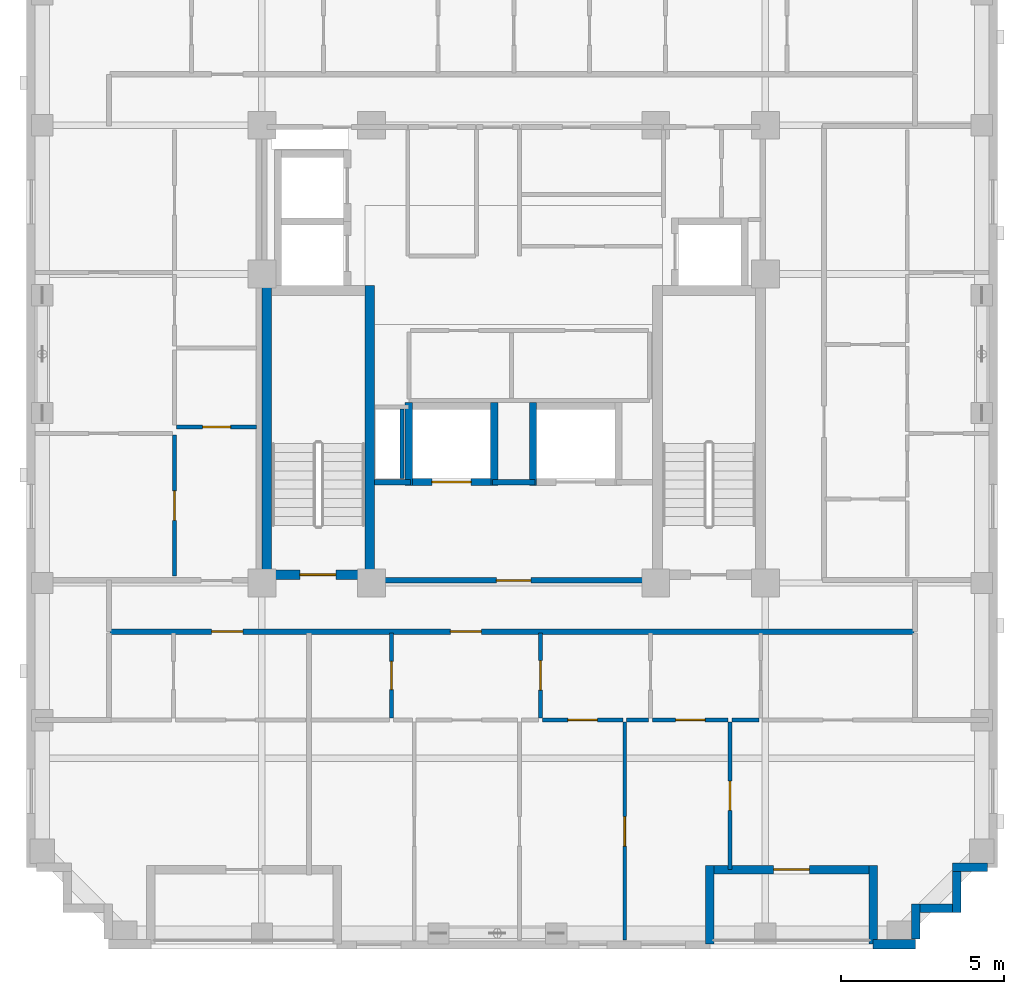
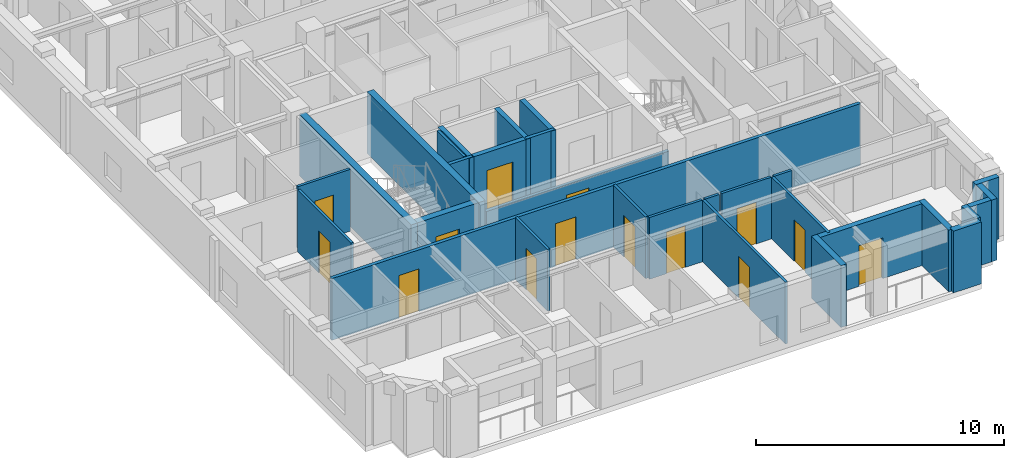
# One storey, part 3 of 11: 30 walls, 14 doors, 14 openings.
"""IFC4 building model written with IfcOpenShell, lengths in metres."""

from ifc_helpers import new_model, si_unit, derived_unit, direction, frame, frame_2d, origin, place, context, subcontext, project, spatial, rectangle, extrude, material, layer, layer_set, type_object, element, fill, save


model = new_model("IFC4")

# Units and contexts
model_context = context("Model", 3, precision=1e-05, world=origin(), true_north=direction((0.0, 1.0)))
body_context = subcontext(model_context, "Body", "Model", "MODEL_VIEW")
ifc_project = project(units=[si_unit("LENGTHUNIT", "METRE"), si_unit("AREAUNIT", "SQUARE_METRE"), si_unit("VOLUMEUNIT", "CUBIC_METRE"), si_unit("PLANEANGLEUNIT", "RADIAN"), si_unit("MASSUNIT", "GRAM", prefix="KILO"), derived_unit("THERMALTRANSMITTANCEUNIT", [(si_unit("MASSUNIT", "GRAM", prefix="KILO"), 1), (si_unit("TIMEUNIT", "SECOND"), -3), (si_unit("THERMODYNAMICTEMPERATUREUNIT", "KELVIN"), -1)])], contexts=[model_context])

# Site, building, storey
site_placement = place(None, origin())
site = spatial("IfcSite", under=ifc_project, at=site_placement, CompositionType="ELEMENT")
building_placement = place(site_placement, origin())
building = spatial("IfcBuilding", under=site, at=building_placement, Name="Korrvale Station Residences", CompositionType="ELEMENT")
storey_placement = place(building_placement, frame((0.0, 0.0, 194.199951171875)))
storey = spatial("IfcBuildingStorey", under=building, at=storey_placement, Name="L56", CompositionType="ELEMENT", Elevation=194.199951171875)

# Walls
ifc_material_1 = material(Name="Concrete C50/60", Category="concrete")
ifc_layer_1 = layer(ifc_material_1, 0.300048828125, Name="Concrete C50/60")
ifc_layer_set_1 = layer_set([ifc_layer_1], Name="Concrete C50/60")
wall_type_1 = type_object("IfcWallType", Name="WAL-CORE-300-C50", PredefinedType="SHEAR", material=ifc_layer_set_1)
for number, where, z_axis, x_axis, name in (
    (1, (17.949951171875, 15.10009765625, 0.0), (0.0, 0.0, 1.0), (0.0, 1.0, 0.0), "L56 ST-1 Core Shear Wall West"),
    (2, (21.10009765625, 15.10009765625, 0.0), (0.0, 0.0, 1.0), (0.0, 1.0, 0.0), "L56 ST-1 Core Shear Wall East"),
):
    element("IfcWall", number, at=place(storey_placement, frame(where, z_axis=z_axis, x_axis=x_axis)), inside=storey, type_object=wall_type_1, Name=name, PredefinedType="SHEAR", context=body_context, shape_type="SweptSolid", body=[
        extrude(rectangle(XDim=9.0, YDim=0.300048828125, at=frame_2d((4.5, 0.0))), origin(), (0.0, 0.0, 1.0), 3.0400390625),
    ])

# Wall, opening, door
wall_1_placement = place(storey_placement, frame((18.10009765625, 15.25, 0.0), z_axis=(0.0, 0.0, 1.0), x_axis=(1.0, 0.0, 0.0)))
wall_1 = element("IfcWall", 3, at=wall_1_placement, inside=storey, type_object=wall_type_1, Name="L56 ST-1 Core Shear Wall South", PredefinedType="SHEAR", context=body_context, shape_type="SweptSolid", body=[
    extrude(rectangle(XDim=2.849853515625, YDim=0.300048828125, at=frame_2d((1.4248046875, 0.0))), origin(), (0.0, 0.0, 1.0), 3.0400390625),
])
opening_1_placement = place(wall_1_placement, frame((0.860107421875, 0.0, 0.0)))
opening_1 = element("IfcOpeningElement", 4, at=opening_1_placement, cuts=wall_1, Name="Opening SD-1100", PredefinedType="OPENING", context=body_context, shape_type="SweptSolid", body=[
    extrude(rectangle(XDim=1.10009765625, YDim=2.050048828125, at=frame_2d((0.550048828125, 1.02490234375))), frame((0.0, 0.16015625, 0.0), z_axis=(0.0, -1.0, 0.0), x_axis=(1.0, 0.0, 0.0)), (0.0, 0.0, 1.0), 0.320068359375),
])
ifc_material_2 = material(Name="Hollow-metal fire-rated stair door with closer", Category="steel")
door_type_1 = type_object("IfcDoorType", Name="DR-STAIR-1100", OperationType="NOTDEFINED", PredefinedType="DOOR", material=ifc_material_2)
door_1_placement = place(opening_1_placement, origin())
door_1 = element("IfcDoor", 5, at=door_1_placement, inside=storey, type_object=door_type_1, Name="L56 ST-1 Exit Stair Door", OperationType="SINGLE_SWING_LEFT", OverallHeight=2.050048828125, OverallWidth=1.10009765625, PredefinedType="DOOR", context=body_context, shape_type="SweptSolid", body=[
    extrude(rectangle(XDim=1.10009765625, YDim=2.050048828125, at=frame_2d((0.550048828125, 1.02490234375))), frame((0.0, 0.02490234375, 0.0), z_axis=(0.0, -1.0, 0.0), x_axis=(1.0, 0.0, 0.0)), (0.0, 0.0, 1.0), 0.050048828125),
])
fill(opening_1, door_1)

# Wall
ifc_material_3 = material(Name="Precast concrete C45/55", Category="concrete")
ifc_layer_2 = layer(ifc_material_3, 0.260009765625, Name="Precast concrete C45/55")
ifc_layer_set_2 = layer_set([ifc_layer_2], Name="Precast concrete C45/55")
wall_type_2 = type_object("IfcWallType", Name="WAL-EXT-LOG260", PredefinedType="SOLIDWALL", material=ifc_layer_set_2)
wall_2_placement = place(storey_placement, frame((36.5, 3.9599609375, 0.0), z_axis=(0.0, 0.0, 1.0), x_axis=(0.0, 1.0, 0.0)))
element("IfcWall", 6, at=wall_2_placement, inside=storey, type_object=wall_type_2, Name="L56 Recessed Loggia Wall BAL-L56-S2-L", PredefinedType="SOLIDWALL", context=body_context, shape_type="SweptSolid", body=[
    extrude(rectangle(XDim=2.400146484375, YDim=0.260009765625, at=frame_2d((1.2001953125, 0.0))), origin(), (0.0, 0.0, 1.0), 3.0400390625),
])

# Wall, opening, door
wall_3_placement = place(storey_placement, frame((36.365966796875, 6.22998046875, 0.0), z_axis=(0.0, 0.0, 1.0), x_axis=(-1.0, 0.0, 0.0)))
wall_3 = element("IfcWall", 7, at=wall_3_placement, inside=storey, type_object=wall_type_2, Name="L56 Recessed Loggia Wall BAL-L56-S2-B", PredefinedType="SOLIDWALL", context=body_context, shape_type="SweptSolid", body=[
    extrude(rectangle(XDim=4.73193359375, YDim=0.260009765625, at=frame_2d((2.365966796875, 0.0))), origin(), (0.0, 0.0, 1.0), 3.0400390625),
])
opening_2_placement = place(wall_3_placement, frame((1.81591796875, 0.0, 0.0)))
opening_2 = element("IfcOpeningElement", 8, at=opening_2_placement, cuts=wall_3, Name="Opening BD-01", PredefinedType="OPENING", context=body_context, shape_type="SweptSolid", body=[
    extrude(rectangle(XDim=1.10009765625, YDim=2.0, at=frame_2d((0.550048828125, 1.0))), frame((0.0, 0.14013671875, 0.0), z_axis=(0.0, -1.0, 0.0), x_axis=(1.0, 0.0, 0.0)), (0.0, 0.0, 1.0), 0.280029296875),
])
ifc_material_4 = material(Name="Exterior thermally broken aluminium glazed balcony door", Category="aluminium")
door_type_2 = type_object("IfcDoorType", Name="DR-EXT-BAL", OperationType="NOTDEFINED", PredefinedType="DOOR", material=ifc_material_4)
door_2_placement = place(opening_2_placement, origin())
door_2 = element("IfcDoor", 9, at=door_2_placement, inside=storey, type_object=door_type_2, Name="L56 Loggia Balcony Door BAL-L56-S2", OperationType="SINGLE_SWING_LEFT", OverallHeight=2.0, OverallWidth=1.10009765625, PredefinedType="DOOR", context=body_context, shape_type="SweptSolid", body=[
    extrude(rectangle(XDim=1.10009765625, YDim=2.0, at=frame_2d((0.550048828125, 1.0))), frame((0.0, 0.02490234375, 0.0), z_axis=(0.0, -1.0, 0.0), x_axis=(1.0, 0.0, 0.0)), (0.0, 0.0, 1.0), 0.050048828125),
])
fill(opening_2, door_2)

# Walls
wall_4_placement = place(storey_placement, frame((31.5, 6.360107421875, 0.0), z_axis=(0.0, 0.0, 1.0), x_axis=(0.0, -1.0, 0.0)))
element("IfcWall", 10, at=wall_4_placement, inside=storey, type_object=wall_type_2, Name="L56 Recessed Loggia Wall BAL-L56-S2-R", PredefinedType="SOLIDWALL", context=body_context, shape_type="SweptSolid", body=[
    extrude(rectangle(XDim=2.400146484375, YDim=0.260009765625, at=frame_2d((1.2001953125, 0.0))), origin(), (0.0, 0.0, 1.0), 3.0400390625),
])
wall_5_placement = place(storey_placement, frame((39.998046875, 6.300048828125, 0.0), z_axis=(0.0, 0.0, 1.0), x_axis=(-1.0, 0.0, 0.0)))
element("IfcWall", 11, at=wall_5_placement, inside=storey, type_object=wall_type_2, Name="L56 Serrated Corner Precast Step SE-1", PredefinedType="SOLIDWALL", context=body_context, shape_type="SweptSolid", body=[
    extrude(rectangle(XDim=1.078125, YDim=0.260009765625, at=frame_2d((0.5390625, 0.0))), origin(), (0.0, 0.0, 1.0), 3.0400390625),
])
wall_6_placement = place(storey_placement, frame((39.050048828125, 6.16796875, 0.0), z_axis=(0.0, 0.0, 1.0), x_axis=(0.0, -1.0, 0.0)))
element("IfcWall", 12, at=wall_6_placement, inside=storey, type_object=wall_type_2, Name="L56 Serrated Corner Precast Step SE-2", PredefinedType="SOLIDWALL", context=body_context, shape_type="SweptSolid", body=[
    extrude(rectangle(XDim=1.248046875, YDim=0.260009765625, at=frame_2d((0.6240234375, 0.0))), origin(), (0.0, 0.0, 1.0), 3.0400390625),
])
wall_7_placement = place(storey_placement, frame((38.91796875, 5.050048828125, 0.0), z_axis=(0.0, 0.0, 1.0), x_axis=(-1.0, 0.0, 0.0)))
element("IfcWall", 13, at=wall_7_placement, inside=storey, type_object=wall_type_2, Name="L56 Serrated Corner Precast Step SE-3", PredefinedType="SOLIDWALL", context=body_context, shape_type="SweptSolid", body=[
    extrude(rectangle(XDim=0.986083984375, YDim=0.260009765625, at=frame_2d((0.4931640625, 0.0))), origin(), (0.0, 0.0, 1.0), 3.0400390625),
])
wall_8_placement = place(storey_placement, frame((37.800048828125, 5.179931640625, 0.0), z_axis=(0.0, 0.0, 1.0), x_axis=(0.0, -1.0, 0.0)))
element("IfcWall", 14, at=wall_8_placement, inside=storey, type_object=wall_type_2, Name="L56 Serrated Corner Precast Step SE-4", PredefinedType="SOLIDWALL", context=body_context, shape_type="SweptSolid", body=[
    extrude(rectangle(XDim=1.077880859375, YDim=0.260009765625, at=frame_2d((0.5390625, 0.0))), origin(), (0.0, 0.0, 1.0), 3.0400390625),
])
ifc_layer_3 = layer(ifc_material_3, 0.300048828125, Name="Precast concrete C45/55")
ifc_layer_set_3 = layer_set([ifc_layer_3], Name="Precast concrete C45/55")
wall_type_3 = type_object("IfcWallType", Name="WAL-EXT-PC300", PredefinedType="SOLIDWALL", material=ifc_layer_set_3)
wall_9_placement = place(storey_placement, frame((37.800048828125, 3.949951171875, 0.0), z_axis=(0.0, 0.0, 1.0), x_axis=(-1.0, 0.0, 0.0)))
element("IfcWall", 15, at=wall_9_placement, inside=storey, type_object=wall_type_3, Name="L56 South Exterior Precast Wall 1", PredefinedType="SOLIDWALL", context=body_context, shape_type="SweptSolid", body=[
    extrude(rectangle(XDim=1.300048828125, YDim=0.300048828125, at=frame_2d((0.64990234375, 0.0))), origin(), (0.0, 0.0, 1.0), 3.0400390625),
])
ifc_material_5 = material(Name="Acoustic steel-stud gypsum board partition", Category="steel")
ifc_layer_4 = layer(ifc_material_5, 0.1201171875, Name="Acoustic steel-stud gypsum board partition")
ifc_layer_set_4 = layer_set([ifc_layer_4], Name="Acoustic steel-stud gypsum board partition")
wall_type_4 = type_object("IfcWallType", Name="WAL-PART-125", PredefinedType="PARTITIONING", material=ifc_layer_set_4)
wall_10_placement = place(storey_placement, frame((22.080078125, 18.199951171875, 0.0), z_axis=(0.0, 0.0, 1.0), x_axis=(0.0, 1.0, 0.0)))
element("IfcWall", 16, at=wall_10_placement, inside=storey, type_object=wall_type_4, Name="L56 Core Partition CW-RSWT", PredefinedType="PARTITIONING", context=body_context, shape_type="SweptSolid", body=[
    extrude(rectangle(XDim=2.1201171875, YDim=0.1201171875, at=frame_2d((1.06005859375, 0.0))), origin(), (0.0, 0.0, 1.0), 3.0400390625),
])

# Wall, opening, door
wall_11_placement = place(storey_placement, frame((21.759033203125, 10.8701171875, 0.0), z_axis=(0.0, 0.0, 1.0), x_axis=(0.0, 1.0, 0.0)))
wall_11 = element("IfcWall", 17, at=wall_11_placement, inside=storey, type_object=wall_type_4, Name="L56 Suite Partition U02-V01", PredefinedType="PARTITIONING", context=body_context, shape_type="SweptSolid", body=[
    extrude(rectangle(XDim=2.599853515625, YDim=0.1201171875, at=frame_2d((1.2998046875, 0.0))), origin(), (0.0, 0.0, 1.0), 3.0400390625),
])
opening_3_placement = place(wall_11_placement, frame((0.8701171875, 0.0, 0.0)))
opening_3 = element("IfcOpeningElement", 18, at=opening_3_placement, cuts=wall_11, Name="Opening DB-860", PredefinedType="OPENING", context=body_context, shape_type="SweptSolid", body=[
    extrude(rectangle(XDim=0.860107421875, YDim=2.050048828125, at=frame_2d((0.43017578125, 1.02490234375))), frame((0.0, 0.070068359375, 0.0), z_axis=(0.0, -1.0, 0.0), x_axis=(1.0, 0.0, 0.0)), (0.0, 0.0, 1.0), 0.14013671875),
])
ifc_material_6 = material(Name="Moisture-resistant solid-core bathroom door", Category="timber")
door_type_3 = type_object("IfcDoorType", Name="DR-BATH-860", OperationType="NOTDEFINED", PredefinedType="DOOR", material=ifc_material_6)
door_3_placement = place(opening_3_placement, origin())
door_3 = element("IfcDoor", 19, at=door_3_placement, inside=storey, type_object=door_type_3, Name="L56 Studio Apartment L56-U02 Bathroom Door", OperationType="SINGLE_SWING_LEFT", OverallHeight=2.050048828125, OverallWidth=0.860107421875, PredefinedType="DOOR", context=body_context, shape_type="SweptSolid", body=[
    extrude(rectangle(XDim=0.860107421875, YDim=2.050048828125, at=frame_2d((0.43017578125, 1.02490234375))), frame((0.0, 0.02490234375, 0.0), z_axis=(0.0, -1.0, 0.0), x_axis=(1.0, 0.0, 0.0)), (0.0, 0.0, 1.0), 0.050048828125),
])
fill(opening_3, door_3)

wall_12_placement = place(storey_placement, frame((26.319091796875, 10.8701171875, 0.0), z_axis=(0.0, 0.0, 1.0), x_axis=(0.0, 1.0, 0.0)))
wall_12 = element("IfcWall", 20, at=wall_12_placement, inside=storey, type_object=wall_type_4, Name="L56 Suite Partition U02-V12", PredefinedType="PARTITIONING", context=body_context, shape_type="SweptSolid", body=[
    extrude(rectangle(XDim=2.599853515625, YDim=0.1201171875, at=frame_2d((1.2998046875, 0.0))), origin(), (0.0, 0.0, 1.0), 3.0400390625),
])
opening_4_placement = place(wall_12_placement, frame((0.85009765625, 0.0, 0.0)))
opening_4 = element("IfcOpeningElement", 21, at=opening_4_placement, cuts=wall_12, Name="Opening DI-900", PredefinedType="OPENING", context=body_context, shape_type="SweptSolid", body=[
    extrude(rectangle(XDim=0.89990234375, YDim=2.050048828125, at=frame_2d((0.449951171875, 1.02490234375))), frame((0.0, 0.070068359375, 0.0), z_axis=(0.0, -1.0, 0.0), x_axis=(1.0, 0.0, 0.0)), (0.0, 0.0, 1.0), 0.14013671875),
])
ifc_material_7 = material(Name="Painted solid-core timber interior room door", Category="wood")
door_type_4 = type_object("IfcDoorType", Name="DR-INT-900", OperationType="NOTDEFINED", PredefinedType="DOOR", material=ifc_material_7)
door_4_placement = place(opening_4_placement, origin())
door_4 = element("IfcDoor", 22, at=door_4_placement, inside=storey, type_object=door_type_4, Name="L56 Studio Apartment L56-U02 Kitchen Door", OperationType="SINGLE_SWING_RIGHT", OverallHeight=2.050048828125, OverallWidth=0.89990234375, PredefinedType="DOOR", context=body_context, shape_type="SweptSolid", body=[
    extrude(rectangle(XDim=0.89990234375, YDim=2.050048828125, at=frame_2d((0.449951171875, 1.02490234375))), frame((0.0, 0.02490234375, 0.0), z_axis=(0.0, -1.0, 0.0), x_axis=(1.0, 0.0, 0.0)), (0.0, 0.0, 1.0), 0.050048828125),
])
fill(opening_4, door_4)

wall_13_placement = place(storey_placement, frame((26.37890625, 10.81005859375, 0.0), z_axis=(0.0, 0.0, 1.0), x_axis=(1.0, 0.0, 0.0)))
wall_13 = element("IfcWall", 23, at=wall_13_placement, inside=storey, type_object=wall_type_4, Name="L56 Suite Partition U02-H27", PredefinedType="PARTITIONING", context=body_context, shape_type="SweptSolid", body=[
    extrude(rectangle(XDim=2.460205078125, YDim=0.1201171875, at=frame_2d((1.22998046875, 0.0))), origin(), (0.0, 0.0, 1.0), 3.0400390625),
])
opening_5_placement = place(wall_13_placement, frame((0.780029296875, 0.0, 0.0)))
opening_5 = element("IfcOpeningElement", 24, at=opening_5_placement, cuts=wall_13, Name="Opening DI-900", PredefinedType="OPENING", context=body_context, shape_type="SweptSolid", body=[
    extrude(rectangle(XDim=0.89990234375, YDim=2.050048828125, at=frame_2d((0.449951171875, 1.02490234375))), frame((0.0, 0.070068359375, 0.0), z_axis=(0.0, -1.0, 0.0), x_axis=(1.0, 0.0, 0.0)), (0.0, 0.0, 1.0), 0.14013671875),
])
door_5_placement = place(opening_5_placement, origin())
door_5 = element("IfcDoor", 25, at=door_5_placement, inside=storey, type_object=door_type_4, Name="L56 Studio Apartment L56-U02 Home Study Room Door", OperationType="SINGLE_SWING_LEFT", OverallHeight=2.050048828125, OverallWidth=0.89990234375, PredefinedType="DOOR", context=body_context, shape_type="SweptSolid", body=[
    extrude(rectangle(XDim=0.89990234375, YDim=2.050048828125, at=frame_2d((0.449951171875, 1.02490234375))), frame((0.0, 0.02490234375, 0.0), z_axis=(0.0, -1.0, 0.0), x_axis=(1.0, 0.0, 0.0)), (0.0, 0.0, 1.0), 0.050048828125),
])
fill(opening_5, door_5)

# Wall
wall_14_placement = place(storey_placement, frame((28.958984375, 10.81005859375, 0.0), z_axis=(0.0, 0.0, 1.0), x_axis=(1.0, 0.0, 0.0)))
element("IfcWall", 26, at=wall_14_placement, inside=storey, type_object=wall_type_4, Name="L56 Suite Partition U02-H28", PredefinedType="PARTITIONING", context=body_context, shape_type="SweptSolid", body=[
    extrude(rectangle(XDim=0.669921875, YDim=0.1201171875, at=frame_2d((0.3349609375, 0.0))), origin(), (0.0, 0.0, 1.0), 3.0400390625),
])

# Wall, opening, door
wall_15_placement = place(storey_placement, frame((29.7490234375, 10.81005859375, 0.0), z_axis=(0.0, 0.0, 1.0), x_axis=(1.0, 0.0, 0.0)))
wall_15 = element("IfcWall", 27, at=wall_15_placement, inside=storey, type_object=wall_type_4, Name="L56 Suite Partition U02-H38", PredefinedType="PARTITIONING", context=body_context, shape_type="SweptSolid", body=[
    extrude(rectangle(XDim=2.31005859375, YDim=0.1201171875, at=frame_2d((1.155029296875, 0.0))), origin(), (0.0, 0.0, 1.0), 3.0400390625),
])
opening_6_placement = place(wall_15_placement, frame((0.705078125, 0.0, 0.0)))
opening_6 = element("IfcOpeningElement", 28, at=opening_6_placement, cuts=wall_15, Name="Opening DI-900", PredefinedType="OPENING", context=body_context, shape_type="SweptSolid", body=[
    extrude(rectangle(XDim=0.89990234375, YDim=2.050048828125, at=frame_2d((0.449951171875, 1.02490234375))), frame((0.0, 0.070068359375, 0.0), z_axis=(0.0, -1.0, 0.0), x_axis=(1.0, 0.0, 0.0)), (0.0, 0.0, 1.0), 0.14013671875),
])
door_6_placement = place(opening_6_placement, origin())
door_6 = element("IfcDoor", 29, at=door_6_placement, inside=storey, type_object=door_type_4, Name="L56 Studio Apartment L56-U02 Home Study Room Door", OperationType="SINGLE_SWING_LEFT", OverallHeight=2.050048828125, OverallWidth=0.89990234375, PredefinedType="DOOR", context=body_context, shape_type="SweptSolid", body=[
    extrude(rectangle(XDim=0.89990234375, YDim=2.050048828125, at=frame_2d((0.449951171875, 1.02490234375))), frame((0.0, 0.02490234375, 0.0), z_axis=(0.0, -1.0, 0.0), x_axis=(1.0, 0.0, 0.0)), (0.0, 0.0, 1.0), 0.050048828125),
])
fill(opening_6, door_6)

# Wall
wall_16_placement = place(storey_placement, frame((32.178955078125, 10.81005859375, 0.0), z_axis=(0.0, 0.0, 1.0), x_axis=(1.0, 0.0, 0.0)))
element("IfcWall", 30, at=wall_16_placement, inside=storey, type_object=wall_type_4, Name="L56 Suite Partition U02-H39", PredefinedType="PARTITIONING", context=body_context, shape_type="SweptSolid", body=[
    extrude(rectangle(XDim=0.820068359375, YDim=0.1201171875, at=frame_2d((0.41015625, 0.0))), origin(), (0.0, 0.0, 1.0), 3.0400390625),
])

# Wall, opening, door
wall_17_placement = place(storey_placement, frame((28.89892578125, 4.080078125, 0.0), z_axis=(0.0, 0.0, 1.0), x_axis=(0.0, 1.0, 0.0)))
wall_17 = element("IfcWall", 31, at=wall_17_placement, inside=storey, type_object=wall_type_4, Name="L56 Suite Partition U02-V78", PredefinedType="PARTITIONING", context=body_context, shape_type="SweptSolid", body=[
    extrude(rectangle(XDim=6.669921875, YDim=0.1201171875, at=frame_2d((3.3349609375, 0.0))), origin(), (0.0, 0.0, 1.0), 3.0400390625),
])
opening_7_placement = place(wall_17_placement, frame((2.8701171875, 0.0, 0.0)))
opening_7 = element("IfcOpeningElement", 32, at=opening_7_placement, cuts=wall_17, Name="Opening DI-900", PredefinedType="OPENING", context=body_context, shape_type="SweptSolid", body=[
    extrude(rectangle(XDim=0.89990234375, YDim=2.050048828125, at=frame_2d((0.449951171875, 1.02490234375))), frame((0.0, 0.070068359375, 0.0), z_axis=(0.0, -1.0, 0.0), x_axis=(1.0, 0.0, 0.0)), (0.0, 0.0, 1.0), 0.14013671875),
])
door_7_placement = place(opening_7_placement, origin())
door_7 = element("IfcDoor", 33, at=door_7_placement, inside=storey, type_object=door_type_4, Name="L56 Studio Apartment L56-U02 Formal Dining Room Door", OperationType="SINGLE_SWING_LEFT", OverallHeight=2.050048828125, OverallWidth=0.89990234375, PredefinedType="DOOR", context=body_context, shape_type="SweptSolid", body=[
    extrude(rectangle(XDim=0.89990234375, YDim=2.050048828125, at=frame_2d((0.449951171875, 1.02490234375))), frame((0.0, 0.02490234375, 0.0), z_axis=(0.0, -1.0, 0.0), x_axis=(1.0, 0.0, 0.0)), (0.0, 0.0, 1.0), 0.050048828125),
])
fill(opening_7, door_7)

wall_18_placement = place(storey_placement, frame((32.118896484375, 6.22998046875, 0.0), z_axis=(0.0, 0.0, 1.0), x_axis=(0.0, 1.0, 0.0)))
wall_18 = element("IfcWall", 34, at=wall_18_placement, inside=storey, type_object=wall_type_4, Name="L56 Suite Partition U02-V89", PredefinedType="PARTITIONING", context=body_context, shape_type="SweptSolid", body=[
    extrude(rectangle(XDim=4.52001953125, YDim=0.1201171875, at=frame_2d((2.260009765625, 0.0))), origin(), (0.0, 0.0, 1.0), 3.0400390625),
])
opening_8_placement = place(wall_18_placement, frame((1.81005859375, 0.0, 0.0)))
opening_8 = element("IfcOpeningElement", 35, at=opening_8_placement, cuts=wall_18, Name="Opening DI-900", PredefinedType="OPENING", context=body_context, shape_type="SweptSolid", body=[
    extrude(rectangle(XDim=0.89990234375, YDim=2.050048828125, at=frame_2d((0.449951171875, 1.02490234375))), frame((0.0, 0.070068359375, 0.0), z_axis=(0.0, -1.0, 0.0), x_axis=(1.0, 0.0, 0.0)), (0.0, 0.0, 1.0), 0.14013671875),
])
door_8_placement = place(opening_8_placement, origin())
door_8 = element("IfcDoor", 36, at=door_8_placement, inside=storey, type_object=door_type_4, Name="L56 Studio Apartment L56-U02 Formal Dining Room Door", OperationType="SINGLE_SWING_RIGHT", OverallHeight=2.050048828125, OverallWidth=0.89990234375, PredefinedType="DOOR", context=body_context, shape_type="SweptSolid", body=[
    extrude(rectangle(XDim=0.89990234375, YDim=2.050048828125, at=frame_2d((0.449951171875, 1.02490234375))), frame((0.0, 0.02490234375, 0.0), z_axis=(0.0, -1.0, 0.0), x_axis=(1.0, 0.0, 0.0)), (0.0, 0.0, 1.0), 0.050048828125),
])
fill(opening_8, door_8)

wall_19_placement = place(storey_placement, frame((15.18994140625, 19.77001953125, 0.0), z_axis=(0.0, 0.0, 1.0), x_axis=(1.0, 0.0, 0.0)))
wall_19 = element("IfcWall", 37, at=wall_19_placement, inside=storey, type_object=wall_type_4, Name="L56 Suite Partition U04-H12", PredefinedType="PARTITIONING", context=body_context, shape_type="SweptSolid", body=[
    extrude(rectangle(XDim=2.449951171875, YDim=0.1201171875, at=frame_2d((1.22509765625, 0.0))), origin(), (0.0, 0.0, 1.0), 3.0400390625),
])
opening_9_placement = place(wall_19_placement, frame((0.794921875, 0.0, 0.0)))
opening_9 = element("IfcOpeningElement", 38, at=opening_9_placement, cuts=wall_19, Name="Opening DB-860", PredefinedType="OPENING", context=body_context, shape_type="SweptSolid", body=[
    extrude(rectangle(XDim=0.860107421875, YDim=2.050048828125, at=frame_2d((0.43017578125, 1.02490234375))), frame((0.0, 0.070068359375, 0.0), z_axis=(0.0, -1.0, 0.0), x_axis=(1.0, 0.0, 0.0)), (0.0, 0.0, 1.0), 0.14013671875),
])
door_9_placement = place(opening_9_placement, origin())
door_9 = element("IfcDoor", 39, at=door_9_placement, inside=storey, type_object=door_type_3, Name="L56 Apartment 2BR L56-U04 Bathroom Door", OperationType="SINGLE_SWING_RIGHT", OverallHeight=2.050048828125, OverallWidth=0.860107421875, PredefinedType="DOOR", context=body_context, shape_type="SweptSolid", body=[
    extrude(rectangle(XDim=0.860107421875, YDim=2.050048828125, at=frame_2d((0.43017578125, 1.02490234375))), frame((0.0, 0.02490234375, 0.0), z_axis=(0.0, -1.0, 0.0), x_axis=(1.0, 0.0, 0.0)), (0.0, 0.0, 1.0), 0.050048828125),
])
fill(opening_9, door_9)

wall_20_placement = place(storey_placement, frame((15.1298828125, 15.2099609375, 0.0), z_axis=(0.0, 0.0, 1.0), x_axis=(0.0, 1.0, 0.0)))
wall_20 = element("IfcWall", 40, at=wall_20_placement, inside=storey, type_object=wall_type_4, Name="L56 Suite Partition U04-V23", PredefinedType="PARTITIONING", context=body_context, shape_type="SweptSolid", body=[
    extrude(rectangle(XDim=4.30810546875, YDim=0.1201171875, at=frame_2d((2.154052734375, 0.0))), origin(), (0.0, 0.0, 1.0), 3.0400390625),
])
opening_10_placement = place(wall_20_placement, frame((1.7041015625, 0.0, 0.0)))
opening_10 = element("IfcOpeningElement", 41, at=opening_10_placement, cuts=wall_20, Name="Opening DI-900", PredefinedType="OPENING", context=body_context, shape_type="SweptSolid", body=[
    extrude(rectangle(XDim=0.89990234375, YDim=2.050048828125, at=frame_2d((0.449951171875, 1.02490234375))), frame((0.0, 0.070068359375, 0.0), z_axis=(0.0, -1.0, 0.0), x_axis=(1.0, 0.0, 0.0)), (0.0, 0.0, 1.0), 0.14013671875),
])
door_10_placement = place(opening_10_placement, origin())
door_10 = element("IfcDoor", 42, at=door_10_placement, inside=storey, type_object=door_type_4, Name="L56 Apartment 2BR L56-U04 Kitchen Door", OperationType="SINGLE_SWING_LEFT", OverallHeight=2.050048828125, OverallWidth=0.89990234375, PredefinedType="DOOR", context=body_context, shape_type="SweptSolid", body=[
    extrude(rectangle(XDim=0.89990234375, YDim=2.050048828125, at=frame_2d((0.449951171875, 1.02490234375))), frame((0.0, 0.02490234375, 0.0), z_axis=(0.0, -1.0, 0.0), x_axis=(1.0, 0.0, 0.0)), (0.0, 0.0, 1.0), 0.050048828125),
])
fill(opening_10, door_10)

ifc_material_8 = material(Name="Fire-rated twin-stud gypsum and mineral wool shaftwall assembly", Category="gypsum")
ifc_layer_5 = layer(ifc_material_8, 0.159912109375, Name="Fire-rated twin-stud gypsum and mineral wool shaftwall assembly")
ifc_layer_set_5 = layer_set([ifc_layer_5], Name="Fire-rated twin-stud gypsum and mineral wool shaftwall assembly")
wall_type_5 = type_object("IfcWallType", Name="WAL-PART-200", PredefinedType="PARTITIONING", material=ifc_layer_set_5)
wall_21_placement = place(storey_placement, frame((21.25, 15.080078125, 0.0), z_axis=(0.0, 0.0, 1.0), x_axis=(1.0, 0.0, 0.0)))
wall_21 = element("IfcWall", 43, at=wall_21_placement, inside=storey, type_object=wall_type_5, Name="L56 Core Partition CW-FFL-S", PredefinedType="PARTITIONING", context=body_context, shape_type="SweptSolid", body=[
    extrude(rectangle(XDim=8.5, YDim=0.159912109375, at=frame_2d((4.25, 0.0))), origin(), (0.0, 0.0, 1.0), 2.55615234375),
])
opening_11_placement = place(wall_21_placement, frame((3.72509765625, 0.0, 0.0)))
opening_11 = element("IfcOpeningElement", 44, at=opening_11_placement, cuts=wall_21, Name="Opening FD-1050", PredefinedType="OPENING", context=body_context, shape_type="SweptSolid", body=[
    extrude(rectangle(XDim=1.050048828125, YDim=2.050048828125, at=frame_2d((0.52490234375, 1.02490234375))), frame((0.0, 0.08984375, 0.0), z_axis=(0.0, -1.0, 0.0), x_axis=(1.0, 0.0, 0.0)), (0.0, 0.0, 1.0), 0.179931640625),
])
ifc_material_9 = material(Name="Fire-rated mineral-core timber lobby door", Category="wood")
door_type_5 = type_object("IfcDoorType", Name="DR-CORE-1050", OperationType="NOTDEFINED", PredefinedType="DOOR", material=ifc_material_9)
door_11_placement = place(opening_11_placement, origin())
door_11 = element("IfcDoor", 45, at=door_11_placement, inside=storey, type_object=door_type_5, Name="L56 Firefighting Lobby Entry Door", OperationType="SINGLE_SWING_LEFT", OverallHeight=2.050048828125, OverallWidth=1.050048828125, PredefinedType="DOOR", context=body_context, shape_type="SweptSolid", body=[
    extrude(rectangle(XDim=1.050048828125, YDim=2.050048828125, at=frame_2d((0.52490234375, 1.02490234375))), frame((0.0, 0.02490234375, 0.0), z_axis=(0.0, -1.0, 0.0), x_axis=(1.0, 0.0, 0.0)), (0.0, 0.0, 1.0), 0.050048828125),
])
fill(opening_11, door_11)

# Walls
wall_22_placement = place(storey_placement, frame((21.25, 18.080078125, 0.0), z_axis=(0.0, 0.0, 1.0), x_axis=(1.0, 0.0, 0.0)))
element("IfcWall", 46, at=wall_22_placement, inside=storey, type_object=wall_type_5, Name="L56 Core Partition CW-FFL-N1", PredefinedType="PARTITIONING", context=body_context, shape_type="SweptSolid", body=[
    extrude(rectangle(XDim=1.10009765625, YDim=0.159912109375, at=frame_2d((0.550048828125, 0.0))), origin(), (0.0, 0.0, 1.0), 3.0400390625),
])
wall_23_placement = place(storey_placement, frame((24.85009765625, 18.080078125, 0.0), z_axis=(0.0, 0.0, 1.0), x_axis=(1.0, 0.0, 0.0)))
element("IfcWall", 47, at=wall_23_placement, inside=storey, type_object=wall_type_5, Name="L56 Core Partition CW-FFL-N2", PredefinedType="PARTITIONING", context=body_context, shape_type="SweptSolid", body=[
    extrude(rectangle(XDim=1.2998046875, YDim=0.159912109375, at=frame_2d((0.64990234375, 0.0))), origin(), (0.0, 0.0, 1.0), 3.0400390625),
])

# Wall, openings, doors
wall_24_placement = place(storey_placement, frame((13.14990234375, 13.510009765625, 0.0), z_axis=(0.0, 0.0, 1.0), x_axis=(1.0, 0.0, 0.0)))
wall_24 = element("IfcWall", 48, at=wall_24_placement, inside=storey, type_object=wall_type_5, Name="L56 Rated Corridor Wall S", PredefinedType="PARTITIONING", context=body_context, shape_type="SweptSolid", body=[
    extrude(rectangle(XDim=24.60009765625, YDim=0.159912109375, at=frame_2d((12.300048828125, 0.0))), origin(), (0.0, 0.0, 1.0), 3.0400390625),
])
opening_12_placement = place(wall_24_placement, frame((3.114990234375, 0.0, 0.0)))
opening_12 = element("IfcOpeningElement", 49, at=opening_12_placement, cuts=wall_24, Name="Opening UD-950", PredefinedType="OPENING", context=body_context, shape_type="SweptSolid", body=[
    extrude(rectangle(XDim=0.949951171875, YDim=2.10009765625, at=frame_2d((0.47509765625, 1.050048828125))), frame((0.0, 0.08984375, 0.0), z_axis=(0.0, -1.0, 0.0), x_axis=(1.0, 0.0, 0.0)), (0.0, 0.0, 1.0), 0.179931640625),
])
opening_13_placement = place(wall_24_placement, frame((10.4140625, 0.0, 0.0)))
opening_13 = element("IfcOpeningElement", 50, at=opening_13_placement, cuts=wall_24, Name="Opening UD-950", PredefinedType="OPENING", context=body_context, shape_type="SweptSolid", body=[
    extrude(rectangle(XDim=0.949951171875, YDim=2.10009765625, at=frame_2d((0.47509765625, 1.050048828125))), frame((0.0, 0.08984375, 0.0), z_axis=(0.0, -1.0, 0.0), x_axis=(1.0, 0.0, 0.0)), (0.0, 0.0, 1.0), 0.179931640625),
])
ifc_material_10 = material(Name="Solid-core acoustic oak apartment entrance door", Category="timber")
door_type_6 = type_object("IfcDoorType", Name="DR-UNIT-950", OperationType="NOTDEFINED", PredefinedType="DOOR", material=ifc_material_10)
door_12_placement = place(opening_12_placement, origin())
door_12 = element("IfcDoor", 51, at=door_12_placement, inside=storey, type_object=door_type_6, Name="L56 Apartment L56-U01 Entrance Door", OperationType="SINGLE_SWING_RIGHT", OverallHeight=2.10009765625, OverallWidth=0.949951171875, PredefinedType="DOOR", context=body_context, shape_type="SweptSolid", body=[
    extrude(rectangle(XDim=0.949951171875, YDim=2.10009765625, at=frame_2d((0.47509765625, 1.050048828125))), frame((0.0, 0.02490234375, 0.0), z_axis=(0.0, -1.0, 0.0), x_axis=(1.0, 0.0, 0.0)), (0.0, 0.0, 1.0), 0.050048828125),
])
fill(opening_12, door_12)
door_13_placement = place(opening_13_placement, origin())
door_13 = element("IfcDoor", 52, at=door_13_placement, inside=storey, type_object=door_type_6, Name="L56 Apartment L56-U02 Entrance Door", OperationType="SINGLE_SWING_LEFT", OverallHeight=2.10009765625, OverallWidth=0.949951171875, PredefinedType="DOOR", context=body_context, shape_type="SweptSolid", body=[
    extrude(rectangle(XDim=0.949951171875, YDim=2.10009765625, at=frame_2d((0.47509765625, 1.050048828125))), frame((0.0, 0.02490234375, 0.0), z_axis=(0.0, -1.0, 0.0), x_axis=(1.0, 0.0, 0.0)), (0.0, 0.0, 1.0), 0.050048828125),
])
fill(opening_13, door_13)

# Wall, opening, door
ifc_layer_6 = layer(ifc_material_1, 0.219970703125, Name="Concrete C50/60")
ifc_layer_set_6 = layer_set([ifc_layer_6], Name="Concrete C50/60")
wall_type_6 = type_object("IfcWallType", Name="WAL-SHAFT-220-C50", PredefinedType="SHEAR", material=ifc_layer_set_6)
wall_25_placement = place(storey_placement, frame((22.39990234375, 18.090087890625, 0.0), z_axis=(0.0, 0.0, 1.0), x_axis=(1.0, 0.0, 0.0)))
wall_25 = element("IfcWall", 53, at=wall_25_placement, inside=storey, type_object=wall_type_6, Name="L56 Elevator FFL-1 Hoistway Wall South", PredefinedType="SHEAR", context=body_context, shape_type="SweptSolid", body=[
    extrude(rectangle(XDim=2.400146484375, YDim=0.219970703125, at=frame_2d((1.2001953125, 0.0))), origin(), (0.0, 0.0, 1.0), 3.0400390625),
])
opening_14_placement = place(wall_25_placement, frame((0.60009765625, 0.0, 0.0)))
opening_14 = element("IfcOpeningElement", 54, at=opening_14_placement, cuts=wall_25, Name="Opening LD-FF1200", PredefinedType="OPENING", context=body_context, shape_type="SweptSolid", body=[
    extrude(rectangle(XDim=1.199951171875, YDim=2.14990234375, at=frame_2d((0.60009765625, 1.074951171875))), frame((0.0, 0.1201171875, 0.0), z_axis=(0.0, -1.0, 0.0), x_axis=(1.0, 0.0, 0.0)), (0.0, 0.0, 1.0), 0.239990234375),
])
ifc_material_11 = material(Name="Stainless-steel firefighter elevator landing sliding door", Category="steel")
door_type_7 = type_object("IfcDoorType", Name="DR-LIFT-FF1200", OperationType="SLIDING_TO_LEFT", PredefinedType="DOOR", material=ifc_material_11)
door_14_placement = place(opening_14_placement, origin())
door_14 = element("IfcDoor", 55, at=door_14_placement, inside=storey, type_object=door_type_7, Name="L56 Elevator FFL-1 Sliding Landing Door", OperationType="SLIDING_TO_LEFT", OverallHeight=2.14990234375, OverallWidth=1.199951171875, PredefinedType="DOOR", context=body_context, shape_type="SweptSolid", body=[
    extrude(rectangle(XDim=1.199951171875, YDim=2.14990234375, at=frame_2d((0.60009765625, 1.074951171875))), frame((0.0, 0.02490234375, 0.0), z_axis=(0.0, -1.0, 0.0), x_axis=(1.0, 0.0, 0.0)), (0.0, 0.0, 1.0), 0.050048828125),
])
fill(opening_14, door_14)

# Walls
for number, where, z_axis, x_axis, name in (
    (56, (22.2900390625, 17.97998046875, 0.0), (0.0, 0.0, 1.0), (0.0, 1.0, 0.0), "L56 Elevator FFL-1 Hoistway Wall West"),
    (57, (24.909912109375, 17.97998046875, 0.0), (0.0, 0.0, 1.0), (0.0, 1.0, 0.0), "L56 Elevator FFL-1 Hoistway Wall East"),
    (58, (26.090087890625, 17.97998046875, 0.0), (0.0, 0.0, 1.0), (0.0, 1.0, 0.0), "L56 Elevator FFL-2 Hoistway Wall West"),
):
    element("IfcWall", number, at=place(storey_placement, frame(where, z_axis=z_axis, x_axis=x_axis)), inside=storey, type_object=wall_type_6, Name=name, PredefinedType="SHEAR", context=body_context, shape_type="SweptSolid", body=[
        extrude(rectangle(XDim=2.5400390625, YDim=0.219970703125, at=frame_2d((1.27001953125, 0.0))), origin(), (0.0, 0.0, 1.0), 3.0400390625),
    ])

save(model, "model.ifc")
